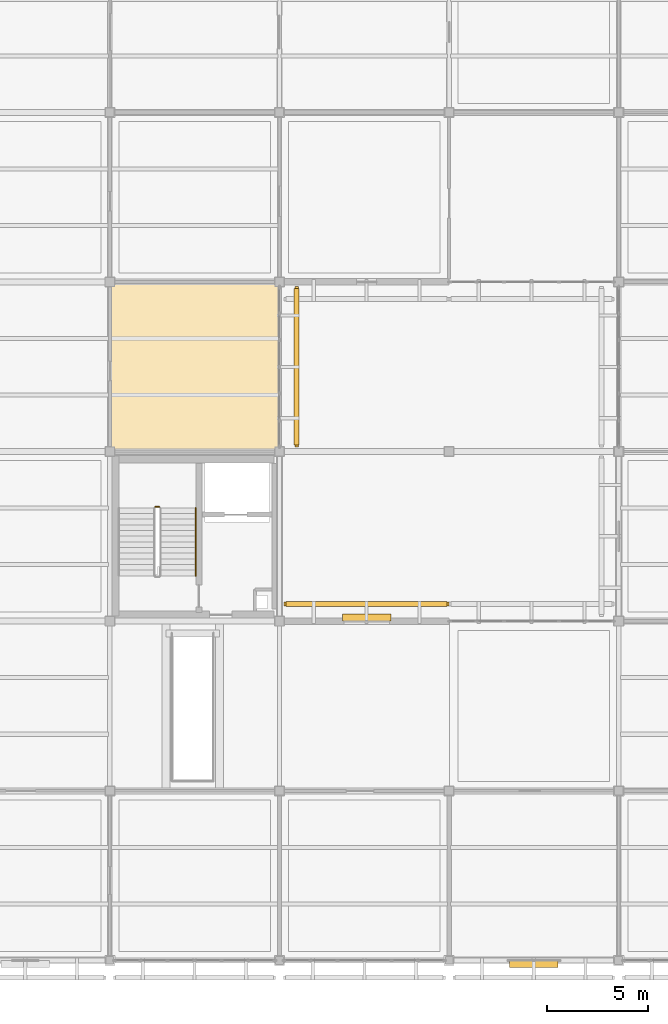
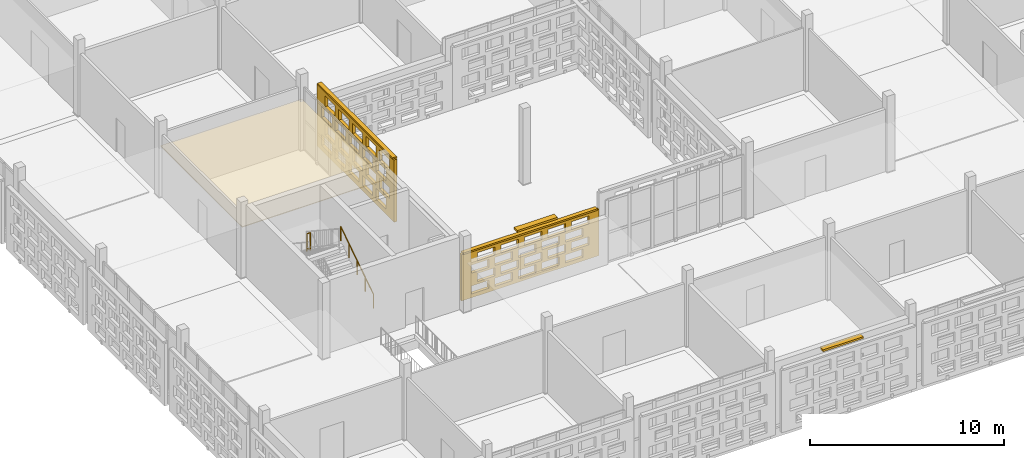
# One storey, part 137 of 203: 4 shading devices, 3 coverings, 2 railings, 40 openings.
"""IFC4 building model written with IfcOpenShell, lengths in metres."""

from ifc_helpers import new_model, si_unit, direction, frame, frame_2d, origin, origin_2d, place, context, subcontext, project, spatial, rectangle, circle, extrude, material, layer, layer_set, type_object, element, save


model = new_model("IFC4")

# Units and contexts
model_context = context("Model", 3, precision=1e-05, world=origin(), true_north=direction((0.0, 1.0)))
body_context = subcontext(model_context, "Body", "Model", "MODEL_VIEW")
ifc_project = project(units=[si_unit("LENGTHUNIT", "METRE"), si_unit("AREAUNIT", "SQUARE_METRE"), si_unit("VOLUMEUNIT", "CUBIC_METRE"), si_unit("PLANEANGLEUNIT", "RADIAN"), si_unit("MASSUNIT", "GRAM", prefix="KILO")], contexts=[model_context])

# Site, building, storey
site_placement = place(None, origin())
site = spatial("IfcSite", under=ifc_project, at=site_placement, CompositionType="ELEMENT")
building_placement = place(site_placement, origin())
building = spatial("IfcBuilding", under=site, at=building_placement, Name="Varnapada Polytechnic", CompositionType="ELEMENT")
storey_placement = place(building_placement, frame((0.0, 0.0, 4.800048828125)))
storey = spatial("IfcBuildingStorey", under=building, at=storey_placement, Name="L01", CompositionType="ELEMENT", Elevation=4.800048828125)

# Shading devices
ifc_material_1 = material(Name="Anodised aluminium", Category="aluminium")
ifc_layer_1 = layer(ifc_material_1, 0.35009765625)
ifc_layer_set_1 = layer_set([ifc_layer_1], Name="Anodised aluminium")
shading_device_type_1 = type_object("IfcShadingDeviceType", Name="Solar Louvre LVR-01", PredefinedType="JALOUSIE", material=ifc_layer_set_1)
for number, where, z_axis, x_axis, name in (
    (1, (29.514892578125, 16.97998046875, 3.760009765625), (0.0, 0.0, 1.0), (1.0, 0.0, 0.0), "L01 aluminium sun louvre 25"),
    (2, (37.794921875, -0.179931640625, 3.760009765625), (0.0, 0.0, 1.0), (-1.0, 0.0, 0.0), "L01 aluminium sun louvre 28"),
):
    element("IfcShadingDevice", number, at=place(storey_placement, frame(where, z_axis=z_axis, x_axis=x_axis)), inside=storey, type_object=shading_device_type_1, Name=name, PredefinedType="JALOUSIE", context=body_context, shape_type="SweptSolid", body=[
        extrude(rectangle(XDim=2.39990234375, YDim=0.340087890625, at=origin_2d()), origin(), (0.0, 0.0, 1.0), 0.1201171875),
    ])

# Railings
ifc_material_2 = material(Name="Brushed Stainless Steel 316", Category="steel")
railing_type_1 = type_object("IfcRailingType", Name="Stair Wall Handrail SHR-01", PredefinedType="HANDRAIL", material=ifc_material_2)
railing_1_placement = place(storey_placement, frame((21.050048828125, 19.050048828125, 0.1845703125)))
element("IfcRailing", 3, at=railing_1_placement, inside=storey, type_object=railing_type_1, Name="L01 ST-3 stair handrail 1", PredefinedType="HANDRAIL", context=body_context, shape_type="SweptSolid", body=[
    extrude(circle(Radius=0.02392578125, at=origin_2d()), frame((0.0, 0.0, 0.8759765625), z_axis=(0.0, 0.834858096282, 0.550465220583), x_axis=(-1.0, 0.0, 0.0)), (0.0, 0.0, 1.0), 4.0244140625),
    extrude(circle(Radius=0.02099609375, at=origin_2d()), origin(), (0.0, 0.0, 1.0), 0.851806640625),
    extrude(circle(Radius=0.02099609375, at=origin_2d()), frame((0.0, 0.83984375, 0.5537109375)), (0.0, 0.0, 1.0), 0.851806640625),
    extrude(circle(Radius=0.02099609375, at=origin_2d()), frame((0.0, 1.679931640625, 1.107666015625)), (0.0, 0.0, 1.0), 0.851806640625),
    extrude(circle(Radius=0.02099609375, at=origin_2d()), frame((0.0, 2.52001953125, 1.66162109375)), (0.0, 0.0, 1.0), 0.851806640625),
    extrude(circle(Radius=0.02099609375, at=origin_2d()), frame((0.0, 3.35986328125, 2.21533203125)), (0.0, 0.0, 1.0), 0.851806640625),
])
railing_type_2 = type_object("IfcRailingType", Name="Stair Well Guard Rail SGR-01", PredefinedType="BALUSTRADE", material=ifc_material_2)
railing_2_placement = place(storey_placement, frame((19.25, 22.4599609375, 2.39990234375)))
element("IfcRailing", 4, at=railing_2_placement, inside=storey, type_object=railing_type_2, Name="L01 ST-3 stair guard 2", PredefinedType="BALUSTRADE", context=body_context, shape_type="SweptSolid", body=[
    extrude(circle(Radius=0.02392578125, at=origin_2d()), frame((0.0, 0.0, 1.09619140625), z_axis=(-1.0, 0.0, 0.0), x_axis=(0.0, -1.0, 0.0)), (0.0, 0.0, 1.0), 0.199951171875),
    extrude(circle(Radius=0.02392578125, at=origin_2d()), frame((0.0, 0.0, 0.10009765625), z_axis=(-1.0, 0.0, 0.0), x_axis=(0.0, -1.0, 0.0)), (0.0, 0.0, 1.0), 0.199951171875),
    extrude(circle(Radius=0.02099609375, at=origin_2d()), origin(), (0.0, 0.0, 1.0), 1.072021484375),
    extrude(circle(Radius=0.02099609375, at=origin_2d()), frame((-0.199951171875, 0.0, 0.0)), (0.0, 0.0, 1.0), 1.072021484375),
])

# Covering
ifc_material_3 = material(Name="Micro-Perforated Gypsum Acoustic Ceiling")
ifc_layer_2 = layer(ifc_material_3, 0.044921875)
ifc_layer_set_2 = layer_set([ifc_layer_2], Name="Micro-Perforated Gypsum Acoustic Ceiling")
covering_type_1 = type_object("IfcCoveringType", Name="Suspended Ceiling CLG-04", PredefinedType="CEILING", material=ifc_layer_set_2)
covering_1_placement = place(storey_placement, frame((21.0, 29.39990234375, 3.027587890625), z_axis=(0.0, 0.0, 1.0), x_axis=(1.0, 0.0, 0.0)))
element("IfcCovering", 5, at=covering_1_placement, inside=storey, type_object=covering_type_1, Name="L01 suspended acoustic ceiling (3,4)", PredefinedType="CEILING", context=body_context, shape_type="SweptSolid", body=[
    extrude(rectangle(XDim=8.419921875, YDim=8.419921875, at=origin_2d()), origin(), (0.0, 0.0, 1.0), 0.044921875),
])

# Covering, openings
ifc_material_4 = material(Name="Earth-toned architectural terracotta screen block", Category="masonry")
ifc_layer_3 = layer(ifc_material_4, 0.1201171875)
ifc_layer_set_3 = layer_set([ifc_layer_3], Name="Earth-toned architectural terracotta screen block")
covering_type_2 = type_object("IfcCoveringType", Name="Terracotta Screen Cladding CLD-01", PredefinedType="CLADDING", material=ifc_layer_set_3)
covering_2_placement = place(storey_placement, frame((26.050048828125, 33.3701171875, 0.0), z_axis=(0.0, 0.0, 1.0), x_axis=(0.0, -1.0, 0.0)))
covering_2 = element("IfcCovering", 6, at=covering_2_placement, inside=storey, type_object=covering_type_2, Name="L01 perforated terracotta block screen (22)", PredefinedType="CLADDING", context=body_context, shape_type="SweptSolid", body=[
    extrude(rectangle(XDim=7.9501953125, YDim=0.179931640625, at=frame_2d((3.97509765625, 0.0))), origin(), (0.0, 0.0, 1.0), 3.919921875),
])
opening_1_placement = place(covering_2_placement, frame((0.47509765625, 0.0, 0.313720703125)))
element("IfcOpeningElement", 7, at=opening_1_placement, cuts=covering_2, Name="Screen perforation TBS-L01-021.1", PredefinedType="OPENING", context=body_context, shape_type="SweptSolid", body=[
    extrude(rectangle(XDim=1.0400390625, YDim=0.679931640625, at=frame_2d((0.52001953125, 0.33984375))), frame((0.0, 0.099853515625, 0.0), z_axis=(0.0, -1.0, 0.0), x_axis=(1.0, 0.0, 0.0)), (0.0, 0.0, 1.0), 0.199951171875),
])
opening_2_placement = place(covering_2_placement, frame((1.875, 0.0, 0.313720703125)))
element("IfcOpeningElement", 8, at=opening_2_placement, cuts=covering_2, Name="Screen perforation TBS-L01-021.2", PredefinedType="OPENING", context=body_context, shape_type="SweptSolid", body=[
    extrude(rectangle(XDim=1.0400390625, YDim=0.679931640625, at=frame_2d((0.52001953125, 0.33984375))), frame((0.0, 0.099853515625, 0.0), z_axis=(0.0, -1.0, 0.0), x_axis=(1.0, 0.0, 0.0)), (0.0, 0.0, 1.0), 0.199951171875),
])
opening_3_placement = place(covering_2_placement, frame((3.27490234375, 0.0, 0.313720703125)))
element("IfcOpeningElement", 9, at=opening_3_placement, cuts=covering_2, Name="Screen perforation TBS-L01-021.3", PredefinedType="OPENING", context=body_context, shape_type="SweptSolid", body=[
    extrude(rectangle(XDim=1.0400390625, YDim=0.679931640625, at=frame_2d((0.52001953125, 0.33984375))), frame((0.0, 0.099853515625, 0.0), z_axis=(0.0, -1.0, 0.0), x_axis=(1.0, 0.0, 0.0)), (0.0, 0.0, 1.0), 0.199951171875),
])
opening_4_placement = place(covering_2_placement, frame((4.675048828125, 0.0, 0.313720703125)))
element("IfcOpeningElement", 10, at=opening_4_placement, cuts=covering_2, Name="Screen perforation TBS-L01-021.4", PredefinedType="OPENING", context=body_context, shape_type="SweptSolid", body=[
    extrude(rectangle(XDim=1.0400390625, YDim=0.679931640625, at=frame_2d((0.52001953125, 0.33984375))), frame((0.0, 0.099853515625, 0.0), z_axis=(0.0, -1.0, 0.0), x_axis=(1.0, 0.0, 0.0)), (0.0, 0.0, 1.0), 0.199951171875),
])
opening_5_placement = place(covering_2_placement, frame((6.074951171875, 0.0, 0.313720703125)))
element("IfcOpeningElement", 11, at=opening_5_placement, cuts=covering_2, Name="Screen perforation TBS-L01-021.5", PredefinedType="OPENING", context=body_context, shape_type="SweptSolid", body=[
    extrude(rectangle(XDim=1.0400390625, YDim=0.679931640625, at=frame_2d((0.52001953125, 0.33984375))), frame((0.0, 0.099853515625, 0.0), z_axis=(0.0, -1.0, 0.0), x_axis=(1.0, 0.0, 0.0)), (0.0, 0.0, 1.0), 0.199951171875),
])
opening_6_placement = place(covering_2_placement, frame((0.8349609375, 0.0, 1.195556640625)))
element("IfcOpeningElement", 12, at=opening_6_placement, cuts=covering_2, Name="Screen perforation TBS-L01-021.6", PredefinedType="OPENING", context=body_context, shape_type="SweptSolid", body=[
    extrude(rectangle(XDim=1.0400390625, YDim=0.679931640625, at=frame_2d((0.52001953125, 0.33984375))), frame((0.0, 0.099853515625, 0.0), z_axis=(0.0, -1.0, 0.0), x_axis=(1.0, 0.0, 0.0)), (0.0, 0.0, 1.0), 0.199951171875),
])
opening_7_placement = place(covering_2_placement, frame((2.235107421875, 0.0, 1.195556640625)))
element("IfcOpeningElement", 13, at=opening_7_placement, cuts=covering_2, Name="Screen perforation TBS-L01-021.7", PredefinedType="OPENING", context=body_context, shape_type="SweptSolid", body=[
    extrude(rectangle(XDim=1.0400390625, YDim=0.679931640625, at=frame_2d((0.52001953125, 0.33984375))), frame((0.0, 0.099853515625, 0.0), z_axis=(0.0, -1.0, 0.0), x_axis=(1.0, 0.0, 0.0)), (0.0, 0.0, 1.0), 0.199951171875),
])
opening_8_placement = place(covering_2_placement, frame((3.635009765625, 0.0, 1.195556640625)))
element("IfcOpeningElement", 14, at=opening_8_placement, cuts=covering_2, Name="Screen perforation TBS-L01-021.8", PredefinedType="OPENING", context=body_context, shape_type="SweptSolid", body=[
    extrude(rectangle(XDim=1.0400390625, YDim=0.679931640625, at=frame_2d((0.52001953125, 0.33984375))), frame((0.0, 0.099853515625, 0.0), z_axis=(0.0, -1.0, 0.0), x_axis=(1.0, 0.0, 0.0)), (0.0, 0.0, 1.0), 0.199951171875),
])
opening_9_placement = place(covering_2_placement, frame((5.034912109375, 0.0, 1.195556640625)))
element("IfcOpeningElement", 15, at=opening_9_placement, cuts=covering_2, Name="Screen perforation TBS-L01-021.9", PredefinedType="OPENING", context=body_context, shape_type="SweptSolid", body=[
    extrude(rectangle(XDim=1.0400390625, YDim=0.679931640625, at=frame_2d((0.52001953125, 0.33984375))), frame((0.0, 0.099853515625, 0.0), z_axis=(0.0, -1.0, 0.0), x_axis=(1.0, 0.0, 0.0)), (0.0, 0.0, 1.0), 0.199951171875),
])
opening_10_placement = place(covering_2_placement, frame((6.43505859375, 0.0, 1.195556640625)))
element("IfcOpeningElement", 16, at=opening_10_placement, cuts=covering_2, Name="Screen perforation TBS-L01-021.10", PredefinedType="OPENING", context=body_context, shape_type="SweptSolid", body=[
    extrude(rectangle(XDim=1.0400390625, YDim=0.679931640625, at=frame_2d((0.52001953125, 0.33984375))), frame((0.0, 0.099853515625, 0.0), z_axis=(0.0, -1.0, 0.0), x_axis=(1.0, 0.0, 0.0)), (0.0, 0.0, 1.0), 0.199951171875),
])
opening_11_placement = place(covering_2_placement, frame((0.47509765625, 0.0, 2.07763671875)))
element("IfcOpeningElement", 17, at=opening_11_placement, cuts=covering_2, Name="Screen perforation TBS-L01-021.11", PredefinedType="OPENING", context=body_context, shape_type="SweptSolid", body=[
    extrude(rectangle(XDim=1.0400390625, YDim=0.679931640625, at=frame_2d((0.52001953125, 0.33984375))), frame((0.0, 0.099853515625, 0.0), z_axis=(0.0, -1.0, 0.0), x_axis=(1.0, 0.0, 0.0)), (0.0, 0.0, 1.0), 0.199951171875),
])
opening_12_placement = place(covering_2_placement, frame((1.875, 0.0, 2.07763671875)))
element("IfcOpeningElement", 18, at=opening_12_placement, cuts=covering_2, Name="Screen perforation TBS-L01-021.12", PredefinedType="OPENING", context=body_context, shape_type="SweptSolid", body=[
    extrude(rectangle(XDim=1.0400390625, YDim=0.679931640625, at=frame_2d((0.52001953125, 0.33984375))), frame((0.0, 0.099853515625, 0.0), z_axis=(0.0, -1.0, 0.0), x_axis=(1.0, 0.0, 0.0)), (0.0, 0.0, 1.0), 0.199951171875),
])
opening_13_placement = place(covering_2_placement, frame((3.27490234375, 0.0, 2.07763671875)))
element("IfcOpeningElement", 19, at=opening_13_placement, cuts=covering_2, Name="Screen perforation TBS-L01-021.13", PredefinedType="OPENING", context=body_context, shape_type="SweptSolid", body=[
    extrude(rectangle(XDim=1.0400390625, YDim=0.679931640625, at=frame_2d((0.52001953125, 0.33984375))), frame((0.0, 0.099853515625, 0.0), z_axis=(0.0, -1.0, 0.0), x_axis=(1.0, 0.0, 0.0)), (0.0, 0.0, 1.0), 0.199951171875),
])
opening_14_placement = place(covering_2_placement, frame((4.675048828125, 0.0, 2.07763671875)))
element("IfcOpeningElement", 20, at=opening_14_placement, cuts=covering_2, Name="Screen perforation TBS-L01-021.14", PredefinedType="OPENING", context=body_context, shape_type="SweptSolid", body=[
    extrude(rectangle(XDim=1.0400390625, YDim=0.679931640625, at=frame_2d((0.52001953125, 0.33984375))), frame((0.0, 0.099853515625, 0.0), z_axis=(0.0, -1.0, 0.0), x_axis=(1.0, 0.0, 0.0)), (0.0, 0.0, 1.0), 0.199951171875),
])
opening_15_placement = place(covering_2_placement, frame((6.074951171875, 0.0, 2.07763671875)))
element("IfcOpeningElement", 21, at=opening_15_placement, cuts=covering_2, Name="Screen perforation TBS-L01-021.15", PredefinedType="OPENING", context=body_context, shape_type="SweptSolid", body=[
    extrude(rectangle(XDim=1.0400390625, YDim=0.679931640625, at=frame_2d((0.52001953125, 0.33984375))), frame((0.0, 0.099853515625, 0.0), z_axis=(0.0, -1.0, 0.0), x_axis=(1.0, 0.0, 0.0)), (0.0, 0.0, 1.0), 0.199951171875),
])
opening_16_placement = place(covering_2_placement, frame((0.8349609375, 0.0, 2.959716796875)))
element("IfcOpeningElement", 22, at=opening_16_placement, cuts=covering_2, Name="Screen perforation TBS-L01-021.16", PredefinedType="OPENING", context=body_context, shape_type="SweptSolid", body=[
    extrude(rectangle(XDim=1.0400390625, YDim=0.679931640625, at=frame_2d((0.52001953125, 0.33984375))), frame((0.0, 0.099853515625, 0.0), z_axis=(0.0, -1.0, 0.0), x_axis=(1.0, 0.0, 0.0)), (0.0, 0.0, 1.0), 0.199951171875),
])
opening_17_placement = place(covering_2_placement, frame((2.235107421875, 0.0, 2.959716796875)))
element("IfcOpeningElement", 23, at=opening_17_placement, cuts=covering_2, Name="Screen perforation TBS-L01-021.17", PredefinedType="OPENING", context=body_context, shape_type="SweptSolid", body=[
    extrude(rectangle(XDim=1.0400390625, YDim=0.679931640625, at=frame_2d((0.52001953125, 0.33984375))), frame((0.0, 0.099853515625, 0.0), z_axis=(0.0, -1.0, 0.0), x_axis=(1.0, 0.0, 0.0)), (0.0, 0.0, 1.0), 0.199951171875),
])
opening_18_placement = place(covering_2_placement, frame((3.635009765625, 0.0, 2.959716796875)))
element("IfcOpeningElement", 24, at=opening_18_placement, cuts=covering_2, Name="Screen perforation TBS-L01-021.18", PredefinedType="OPENING", context=body_context, shape_type="SweptSolid", body=[
    extrude(rectangle(XDim=1.0400390625, YDim=0.679931640625, at=frame_2d((0.52001953125, 0.33984375))), frame((0.0, 0.099853515625, 0.0), z_axis=(0.0, -1.0, 0.0), x_axis=(1.0, 0.0, 0.0)), (0.0, 0.0, 1.0), 0.199951171875),
])
opening_19_placement = place(covering_2_placement, frame((5.034912109375, 0.0, 2.959716796875)))
element("IfcOpeningElement", 25, at=opening_19_placement, cuts=covering_2, Name="Screen perforation TBS-L01-021.19", PredefinedType="OPENING", context=body_context, shape_type="SweptSolid", body=[
    extrude(rectangle(XDim=1.0400390625, YDim=0.679931640625, at=frame_2d((0.52001953125, 0.33984375))), frame((0.0, 0.099853515625, 0.0), z_axis=(0.0, -1.0, 0.0), x_axis=(1.0, 0.0, 0.0)), (0.0, 0.0, 1.0), 0.199951171875),
])
opening_20_placement = place(covering_2_placement, frame((6.43505859375, 0.0, 2.959716796875)))
element("IfcOpeningElement", 26, at=opening_20_placement, cuts=covering_2, Name="Screen perforation TBS-L01-021.20", PredefinedType="OPENING", context=body_context, shape_type="SweptSolid", body=[
    extrude(rectangle(XDim=1.0400390625, YDim=0.679931640625, at=frame_2d((0.52001953125, 0.33984375))), frame((0.0, 0.099853515625, 0.0), z_axis=(0.0, -1.0, 0.0), x_axis=(1.0, 0.0, 0.0)), (0.0, 0.0, 1.0), 0.199951171875),
])

covering_3_placement = place(storey_placement, frame((25.429931640625, 17.64990234375, 0.0), z_axis=(0.0, 0.0, 1.0), x_axis=(1.0, 0.0, 0.0)))
covering_3 = element("IfcCovering", 27, at=covering_3_placement, inside=storey, type_object=covering_type_2, Name="L01 perforated terracotta block screen (25)", PredefinedType="CLADDING", context=body_context, shape_type="SweptSolid", body=[
    extrude(rectangle(XDim=8.170166015625, YDim=0.179931640625, at=frame_2d((4.0849609375, 0.0))), origin(), (0.0, 0.0, 1.0), 2.909912109375),
])
opening_21_placement = place(covering_3_placement, frame((0.5849609375, 0.0, 0.23291015625)))
element("IfcOpeningElement", 28, at=opening_21_placement, cuts=covering_3, Name="Screen perforation TBS-L01-024.1", PredefinedType="OPENING", context=body_context, shape_type="SweptSolid", body=[
    extrude(rectangle(XDim=1.0400390625, YDim=0.50927734375, at=frame_2d((0.52001953125, 0.254638671875))), frame((0.0, 0.099853515625, 0.0), z_axis=(0.0, -1.0, 0.0), x_axis=(1.0, 0.0, 0.0)), (0.0, 0.0, 1.0), 0.199951171875),
])
opening_22_placement = place(covering_3_placement, frame((1.985107421875, 0.0, 0.23291015625)))
element("IfcOpeningElement", 29, at=opening_22_placement, cuts=covering_3, Name="Screen perforation TBS-L01-024.2", PredefinedType="OPENING", context=body_context, shape_type="SweptSolid", body=[
    extrude(rectangle(XDim=1.0400390625, YDim=0.50927734375, at=frame_2d((0.52001953125, 0.254638671875))), frame((0.0, 0.099853515625, 0.0), z_axis=(0.0, -1.0, 0.0), x_axis=(1.0, 0.0, 0.0)), (0.0, 0.0, 1.0), 0.199951171875),
])
opening_23_placement = place(covering_3_placement, frame((3.385009765625, 0.0, 0.23291015625)))
element("IfcOpeningElement", 30, at=opening_23_placement, cuts=covering_3, Name="Screen perforation TBS-L01-024.3", PredefinedType="OPENING", context=body_context, shape_type="SweptSolid", body=[
    extrude(rectangle(XDim=1.0400390625, YDim=0.50927734375, at=frame_2d((0.52001953125, 0.254638671875))), frame((0.0, 0.099853515625, 0.0), z_axis=(0.0, -1.0, 0.0), x_axis=(1.0, 0.0, 0.0)), (0.0, 0.0, 1.0), 0.199951171875),
])
opening_24_placement = place(covering_3_placement, frame((4.784912109375, 0.0, 0.23291015625)))
element("IfcOpeningElement", 31, at=opening_24_placement, cuts=covering_3, Name="Screen perforation TBS-L01-024.4", PredefinedType="OPENING", context=body_context, shape_type="SweptSolid", body=[
    extrude(rectangle(XDim=1.0400390625, YDim=0.50927734375, at=frame_2d((0.52001953125, 0.254638671875))), frame((0.0, 0.099853515625, 0.0), z_axis=(0.0, -1.0, 0.0), x_axis=(1.0, 0.0, 0.0)), (0.0, 0.0, 1.0), 0.199951171875),
])
opening_25_placement = place(covering_3_placement, frame((6.18505859375, 0.0, 0.23291015625)))
element("IfcOpeningElement", 32, at=opening_25_placement, cuts=covering_3, Name="Screen perforation TBS-L01-024.5", PredefinedType="OPENING", context=body_context, shape_type="SweptSolid", body=[
    extrude(rectangle(XDim=1.0400390625, YDim=0.50927734375, at=frame_2d((0.52001953125, 0.254638671875))), frame((0.0, 0.099853515625, 0.0), z_axis=(0.0, -1.0, 0.0), x_axis=(1.0, 0.0, 0.0)), (0.0, 0.0, 1.0), 0.199951171875),
])
opening_26_placement = place(covering_3_placement, frame((0.945068359375, 0.0, 0.8876953125)))
element("IfcOpeningElement", 33, at=opening_26_placement, cuts=covering_3, Name="Screen perforation TBS-L01-024.6", PredefinedType="OPENING", context=body_context, shape_type="SweptSolid", body=[
    extrude(rectangle(XDim=1.0400390625, YDim=0.50927734375, at=frame_2d((0.52001953125, 0.254638671875))), frame((0.0, 0.099853515625, 0.0), z_axis=(0.0, -1.0, 0.0), x_axis=(1.0, 0.0, 0.0)), (0.0, 0.0, 1.0), 0.199951171875),
])
opening_27_placement = place(covering_3_placement, frame((2.344970703125, 0.0, 0.8876953125)))
element("IfcOpeningElement", 34, at=opening_27_placement, cuts=covering_3, Name="Screen perforation TBS-L01-024.7", PredefinedType="OPENING", context=body_context, shape_type="SweptSolid", body=[
    extrude(rectangle(XDim=1.0400390625, YDim=0.50927734375, at=frame_2d((0.52001953125, 0.254638671875))), frame((0.0, 0.099853515625, 0.0), z_axis=(0.0, -1.0, 0.0), x_axis=(1.0, 0.0, 0.0)), (0.0, 0.0, 1.0), 0.199951171875),
])
opening_28_placement = place(covering_3_placement, frame((3.7451171875, 0.0, 0.8876953125)))
element("IfcOpeningElement", 35, at=opening_28_placement, cuts=covering_3, Name="Screen perforation TBS-L01-024.8", PredefinedType="OPENING", context=body_context, shape_type="SweptSolid", body=[
    extrude(rectangle(XDim=1.0400390625, YDim=0.50927734375, at=frame_2d((0.52001953125, 0.254638671875))), frame((0.0, 0.099853515625, 0.0), z_axis=(0.0, -1.0, 0.0), x_axis=(1.0, 0.0, 0.0)), (0.0, 0.0, 1.0), 0.199951171875),
])
opening_29_placement = place(covering_3_placement, frame((5.14501953125, 0.0, 0.8876953125)))
element("IfcOpeningElement", 36, at=opening_29_placement, cuts=covering_3, Name="Screen perforation TBS-L01-024.9", PredefinedType="OPENING", context=body_context, shape_type="SweptSolid", body=[
    extrude(rectangle(XDim=1.0400390625, YDim=0.50927734375, at=frame_2d((0.52001953125, 0.254638671875))), frame((0.0, 0.099853515625, 0.0), z_axis=(0.0, -1.0, 0.0), x_axis=(1.0, 0.0, 0.0)), (0.0, 0.0, 1.0), 0.199951171875),
])
opening_30_placement = place(covering_3_placement, frame((6.544921875, 0.0, 0.8876953125)))
element("IfcOpeningElement", 37, at=opening_30_placement, cuts=covering_3, Name="Screen perforation TBS-L01-024.10", PredefinedType="OPENING", context=body_context, shape_type="SweptSolid", body=[
    extrude(rectangle(XDim=1.0400390625, YDim=0.50927734375, at=frame_2d((0.52001953125, 0.254638671875))), frame((0.0, 0.099853515625, 0.0), z_axis=(0.0, -1.0, 0.0), x_axis=(1.0, 0.0, 0.0)), (0.0, 0.0, 1.0), 0.199951171875),
])
opening_31_placement = place(covering_3_placement, frame((0.5849609375, 0.0, 1.542236328125)))
element("IfcOpeningElement", 38, at=opening_31_placement, cuts=covering_3, Name="Screen perforation TBS-L01-024.11", PredefinedType="OPENING", context=body_context, shape_type="SweptSolid", body=[
    extrude(rectangle(XDim=1.0400390625, YDim=0.50927734375, at=frame_2d((0.52001953125, 0.254638671875))), frame((0.0, 0.099853515625, 0.0), z_axis=(0.0, -1.0, 0.0), x_axis=(1.0, 0.0, 0.0)), (0.0, 0.0, 1.0), 0.199951171875),
])
opening_32_placement = place(covering_3_placement, frame((1.985107421875, 0.0, 1.542236328125)))
element("IfcOpeningElement", 39, at=opening_32_placement, cuts=covering_3, Name="Screen perforation TBS-L01-024.12", PredefinedType="OPENING", context=body_context, shape_type="SweptSolid", body=[
    extrude(rectangle(XDim=1.0400390625, YDim=0.50927734375, at=frame_2d((0.52001953125, 0.254638671875))), frame((0.0, 0.099853515625, 0.0), z_axis=(0.0, -1.0, 0.0), x_axis=(1.0, 0.0, 0.0)), (0.0, 0.0, 1.0), 0.199951171875),
])
opening_33_placement = place(covering_3_placement, frame((3.385009765625, 0.0, 1.542236328125)))
element("IfcOpeningElement", 40, at=opening_33_placement, cuts=covering_3, Name="Screen perforation TBS-L01-024.13", PredefinedType="OPENING", context=body_context, shape_type="SweptSolid", body=[
    extrude(rectangle(XDim=1.0400390625, YDim=0.50927734375, at=frame_2d((0.52001953125, 0.254638671875))), frame((0.0, 0.099853515625, 0.0), z_axis=(0.0, -1.0, 0.0), x_axis=(1.0, 0.0, 0.0)), (0.0, 0.0, 1.0), 0.199951171875),
])
opening_34_placement = place(covering_3_placement, frame((4.784912109375, 0.0, 1.542236328125)))
element("IfcOpeningElement", 41, at=opening_34_placement, cuts=covering_3, Name="Screen perforation TBS-L01-024.14", PredefinedType="OPENING", context=body_context, shape_type="SweptSolid", body=[
    extrude(rectangle(XDim=1.0400390625, YDim=0.50927734375, at=frame_2d((0.52001953125, 0.254638671875))), frame((0.0, 0.099853515625, 0.0), z_axis=(0.0, -1.0, 0.0), x_axis=(1.0, 0.0, 0.0)), (0.0, 0.0, 1.0), 0.199951171875),
])
opening_35_placement = place(covering_3_placement, frame((6.18505859375, 0.0, 1.542236328125)))
element("IfcOpeningElement", 42, at=opening_35_placement, cuts=covering_3, Name="Screen perforation TBS-L01-024.15", PredefinedType="OPENING", context=body_context, shape_type="SweptSolid", body=[
    extrude(rectangle(XDim=1.0400390625, YDim=0.50927734375, at=frame_2d((0.52001953125, 0.254638671875))), frame((0.0, 0.099853515625, 0.0), z_axis=(0.0, -1.0, 0.0), x_axis=(1.0, 0.0, 0.0)), (0.0, 0.0, 1.0), 0.199951171875),
])
opening_36_placement = place(covering_3_placement, frame((0.945068359375, 0.0, 2.197021484375)))
element("IfcOpeningElement", 43, at=opening_36_placement, cuts=covering_3, Name="Screen perforation TBS-L01-024.16", PredefinedType="OPENING", context=body_context, shape_type="SweptSolid", body=[
    extrude(rectangle(XDim=1.0400390625, YDim=0.50927734375, at=frame_2d((0.52001953125, 0.254638671875))), frame((0.0, 0.099853515625, 0.0), z_axis=(0.0, -1.0, 0.0), x_axis=(1.0, 0.0, 0.0)), (0.0, 0.0, 1.0), 0.199951171875),
])
opening_37_placement = place(covering_3_placement, frame((2.344970703125, 0.0, 2.197021484375)))
element("IfcOpeningElement", 44, at=opening_37_placement, cuts=covering_3, Name="Screen perforation TBS-L01-024.17", PredefinedType="OPENING", context=body_context, shape_type="SweptSolid", body=[
    extrude(rectangle(XDim=1.0400390625, YDim=0.50927734375, at=frame_2d((0.52001953125, 0.254638671875))), frame((0.0, 0.099853515625, 0.0), z_axis=(0.0, -1.0, 0.0), x_axis=(1.0, 0.0, 0.0)), (0.0, 0.0, 1.0), 0.199951171875),
])
opening_38_placement = place(covering_3_placement, frame((3.7451171875, 0.0, 2.197021484375)))
element("IfcOpeningElement", 45, at=opening_38_placement, cuts=covering_3, Name="Screen perforation TBS-L01-024.18", PredefinedType="OPENING", context=body_context, shape_type="SweptSolid", body=[
    extrude(rectangle(XDim=1.0400390625, YDim=0.50927734375, at=frame_2d((0.52001953125, 0.254638671875))), frame((0.0, 0.099853515625, 0.0), z_axis=(0.0, -1.0, 0.0), x_axis=(1.0, 0.0, 0.0)), (0.0, 0.0, 1.0), 0.199951171875),
])
opening_39_placement = place(covering_3_placement, frame((5.14501953125, 0.0, 2.197021484375)))
element("IfcOpeningElement", 46, at=opening_39_placement, cuts=covering_3, Name="Screen perforation TBS-L01-024.19", PredefinedType="OPENING", context=body_context, shape_type="SweptSolid", body=[
    extrude(rectangle(XDim=1.0400390625, YDim=0.50927734375, at=frame_2d((0.52001953125, 0.254638671875))), frame((0.0, 0.099853515625, 0.0), z_axis=(0.0, -1.0, 0.0), x_axis=(1.0, 0.0, 0.0)), (0.0, 0.0, 1.0), 0.199951171875),
])
opening_40_placement = place(covering_3_placement, frame((6.544921875, 0.0, 2.197021484375)))
element("IfcOpeningElement", 47, at=opening_40_placement, cuts=covering_3, Name="Screen perforation TBS-L01-024.20", PredefinedType="OPENING", context=body_context, shape_type="SweptSolid", body=[
    extrude(rectangle(XDim=1.0400390625, YDim=0.50927734375, at=frame_2d((0.52001953125, 0.254638671875))), frame((0.0, 0.099853515625, 0.0), z_axis=(0.0, -1.0, 0.0), x_axis=(1.0, 0.0, 0.0)), (0.0, 0.0, 1.0), 0.199951171875),
])

# Shading devices
ifc_layer_4 = layer(ifc_material_4, 0.179931640625)
ifc_layer_set_4 = layer_set([ifc_layer_4], Name="Earth-toned architectural terracotta screen block")
shading_device_type_2 = type_object("IfcShadingDeviceType", Name="Terracotta Screen SCR-02", PredefinedType="USERDEFINED", material=ifc_layer_set_4)
shading_device_1_placement = place(storey_placement, frame((26.050048828125, 29.39501953125, 3.909912109375), z_axis=(0.0, 0.0, 1.0), x_axis=(0.0, -1.0, 0.0)))
element("IfcShadingDevice", 48, at=shading_device_1_placement, inside=storey, type_object=shading_device_type_2, Name="L01 perforated terracotta screen hood 103", ObjectType="SCREEN", PredefinedType="USERDEFINED", context=body_context, shape_type="SweptSolid", body=[
    extrude(rectangle(XDim=7.75, YDim=0.239990234375, at=origin_2d()), origin(), (0.0, 0.0, 1.0), 0.10009765625),
])
shading_device_2_placement = place(storey_placement, frame((29.514892578125, 17.64990234375, 2.89990234375), z_axis=(0.0, 0.0, 1.0), x_axis=(1.0, 0.0, 0.0)))
element("IfcShadingDevice", 49, at=shading_device_2_placement, inside=storey, type_object=shading_device_type_2, Name="L01 perforated terracotta screen hood 106", ObjectType="SCREEN", PredefinedType="USERDEFINED", context=body_context, shape_type="SweptSolid", body=[
    extrude(rectangle(XDim=7.969970703125, YDim=0.239990234375, at=origin_2d()), origin(), (0.0, 0.0, 1.0), 0.10009765625),
])

save(model, "model.ifc")
